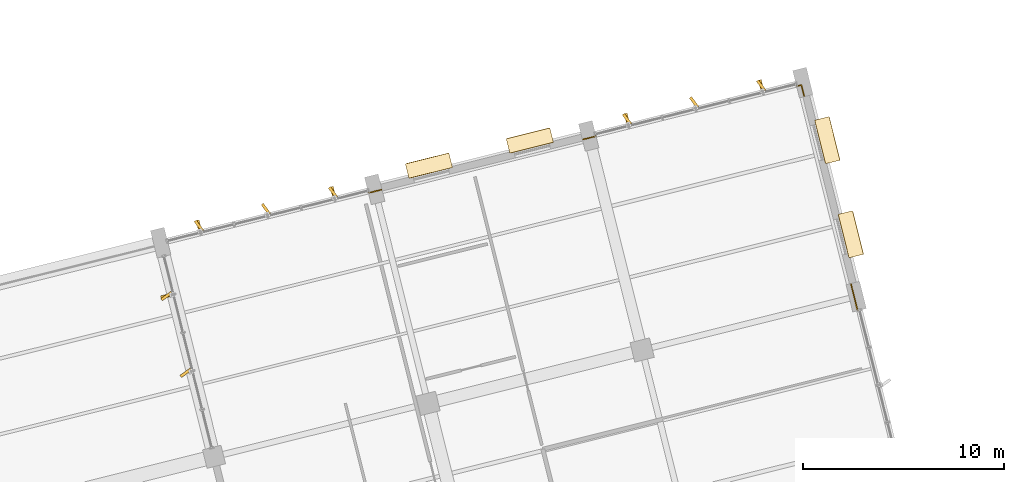
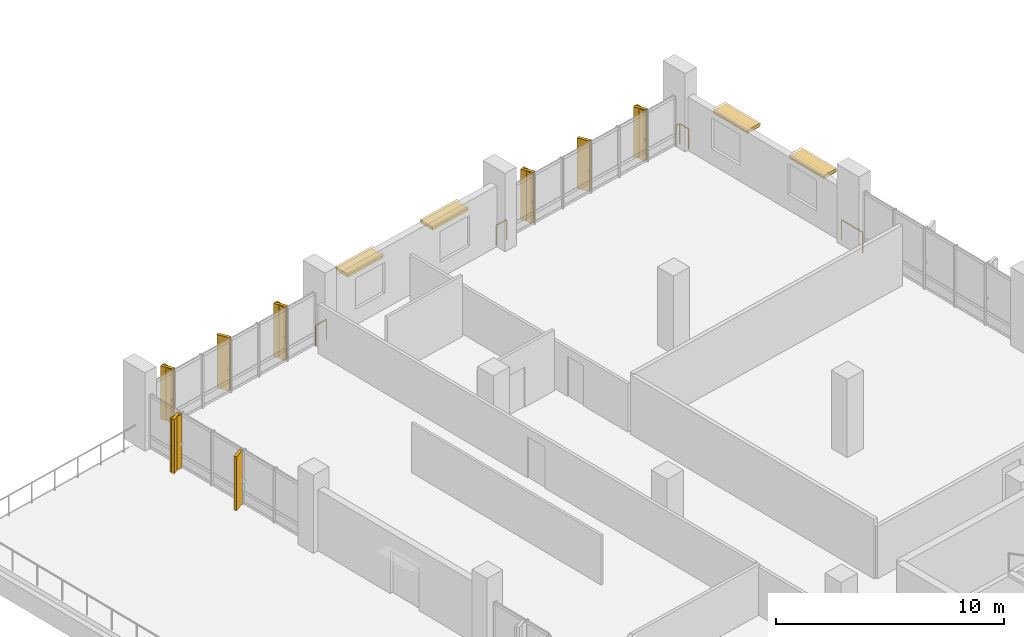
# One storey, part 75 of 75: 12 shading devices, 9 coverings, 4 railings.
"""IFC4 building model written with IfcOpenShell, lengths in metres."""

from ifc_helpers import new_model, si_unit, direction, frame, origin, origin_2d, place, context, subcontext, project, spatial, rectangle, extrude, material, layer, layer_set, type_object, element, save


model = new_model("IFC4")

# Units and contexts
model_context = context("Model", 3, precision=1e-05, world=origin(), true_north=direction((0.0, 1.0)))
body_context = subcontext(model_context, "Body", "Model", "MODEL_VIEW")
ifc_project = project(units=[si_unit("LENGTHUNIT", "METRE"), si_unit("AREAUNIT", "SQUARE_METRE"), si_unit("VOLUMEUNIT", "CUBIC_METRE"), si_unit("PLANEANGLEUNIT", "RADIAN"), si_unit("MASSUNIT", "GRAM", prefix="KILO")], contexts=[model_context])

# Site, building, storey
site_placement = place(None, origin())
site = spatial("IfcSite", under=ifc_project, at=site_placement, CompositionType="ELEMENT")
building_placement = place(site_placement, origin())
building = spatial("IfcBuilding", under=site, at=building_placement, Name="Khorjan Park Terminus", CompositionType="ELEMENT")
storey_placement = place(building_placement, frame((0.0, 0.0, 16.2)))
storey = spatial("IfcBuildingStorey", under=building, at=storey_placement, Name="L03", CompositionType="ELEMENT", Elevation=16.2)

# Coverings
ifc_material_1 = material(Name="Pigmented Precast GRC", Category="concrete")
ifc_layer_1 = layer(ifc_material_1, 0.16)
ifc_layer_set_1 = layer_set([ifc_layer_1], Name="Pigmented Precast GRC")
covering_type_1 = type_object("IfcCoveringType", Name="CV-FIN-GRC", PredefinedType="CLADDING", material=ifc_layer_set_1)
for number, where, z_axis, x_axis, name in (
    (1, (211.9946, 81.8541, -0.02), (0.0, 0.0, 1.0), (0.2419218956, -0.970295726276, 0.0), "Projecting desert-sandstone GRC facade fin CL-FN1 (CW-V5-N-L03-B01-1)"),
    (2, (205.3055, 80.1863, -0.02), (0.0, 0.0, 1.0), (0.2419218956, -0.970295726276, 0.0), "Projecting desert-sandstone GRC facade fin CL-FN1 (CW-V5-N-L03-B01-5)"),
):
    element("IfcCovering", number, at=place(storey_placement, frame(where, z_axis=z_axis, x_axis=x_axis)), inside=storey, type_object=covering_type_1, Name=name, PredefinedType="CLADDING", context=body_context, shape_type="SweptSolid", body=[
        extrude(rectangle(XDim=0.58, YDim=0.16, at=origin_2d()), origin(), (0.0, 0.0, 1.0), 2.705),
    ])
for number, where, z_axis, x_axis, name in (
    (3, (190.6478, 76.5318, -0.02), (0.0, 0.0, 1.0), (0.2419218956, -0.970295726276, 0.0), "Projecting desert-sandstone GRC facade fin CL-FN1 (CW-V5-N-L03-B03-1)"),
    (4, (183.9594, 74.8642, -0.02), (0.0, 0.0, 1.0), (0.2419218956, -0.970295726276, 0.0), "Projecting desert-sandstone GRC facade fin CL-FN1 (CW-V5-N-L03-B03-5)"),
):
    element("IfcCovering", number, at=place(storey_placement, frame(where, z_axis=z_axis, x_axis=x_axis)), inside=storey, type_object=covering_type_1, Name=name, PredefinedType="CLADDING", context=body_context, shape_type="SweptSolid", body=[
        extrude(rectangle(XDim=0.58, YDim=0.16, at=origin_2d()), origin(), (0.0, 0.0, 1.0), 2.855),
    ])
covering_placement = place(storey_placement, frame((182.3502, 71.363, -0.02), z_axis=(0.0, 0.0, 1.0), x_axis=(0.970295726276, 0.2419218956, 0.0)))
element("IfcCovering", 5, at=covering_placement, inside=storey, type_object=covering_type_1, Name="Projecting desert-sandstone GRC facade fin CL-FN1 (CW-V5-NW1-L03-B01-1)", PredefinedType="CLADDING", context=body_context, shape_type="SweptSolid", body=[
    extrude(rectangle(XDim=0.58, YDim=0.16, at=origin_2d()), origin(), (0.0, 0.0, 1.0), 2.905),
])
ifc_layer_2 = layer(ifc_material_1, 0.18)
ifc_layer_set_2 = layer_set([ifc_layer_2], Name="Pigmented Precast GRC")
covering_type_2 = type_object("IfcCoveringType", Name="CV-HOOD-GRC", PredefinedType="CLADDING", material=ifc_layer_set_2)
for number, where, z_axis, x_axis, name in (
    (6, (216.4636, 74.4423, 2.58), (0.0, 0.0, 1.0), (-0.241919949632, 0.970296211458, 0.0), "Projecting desert-sandstone GRC window eyebrow CL-HD1 (EW-V5-E-L03-B06-1)"),
    (7, (215.294, 79.1336, 2.58), (0.0, 0.0, 1.0), (-0.241919949632, 0.970296211458, 0.0), "Projecting desert-sandstone GRC window eyebrow CL-HD1 (EW-V5-E-L03-B06-2)"),
    (8, (200.4594, 79.1172, 2.58), (0.0, 0.0, 1.0), (-0.970297165188, -0.241916124366, 0.0), "Projecting desert-sandstone GRC window eyebrow CL-HD1 (EW-V5-N-L03-B02-1)"),
    (9, (195.4285, 77.8629, 2.58), (0.0, 0.0, 1.0), (-0.970297165188, -0.241916124366, 0.0), "Projecting desert-sandstone GRC window eyebrow CL-HD1 (EW-V5-N-L03-B02-2)"),
):
    element("IfcCovering", number, at=place(storey_placement, frame(where, z_axis=z_axis, x_axis=x_axis)), inside=storey, type_object=covering_type_2, Name=name, PredefinedType="CLADDING", context=body_context, shape_type="SweptSolid", body=[
        extrude(rectangle(XDim=2.24, YDim=0.74, at=origin_2d()), origin(), (0.0, 0.0, 1.0), 0.16),
    ])

# Railings
ifc_material_2 = material(Name="Steel S355", Category="steel")
railing_type = type_object("IfcRailingType", Name="GR-112", PredefinedType="GUARDRAIL", material=ifc_material_2)
railing_1_placement = place(storey_placement, frame((192.43, 76.5072, 0.0)))
element("IfcRailing", 10, at=railing_1_placement, inside=storey, type_object=railing_type, Name="Perimeter safety guard GR-112 (L03-81)", PredefinedType="GUARDRAIL", context=body_context, shape_type="SweptSolid", body=[
    extrude(rectangle(XDim=0.048, YDim=0.048, at=origin_2d()), frame((0.0, 0.0, 1.096), z_axis=(0.970306449081, 0.241878884718, 0.0), x_axis=(-0.241878884718, 0.970306449081, 0.0)), (0.0, 0.0, 1.0), 0.645),
    extrude(rectangle(XDim=0.042, YDim=0.042, at=origin_2d()), origin(), (0.0, 0.0, 1.0), 1.072),
    extrude(rectangle(XDim=0.042, YDim=0.042, at=origin_2d()), frame((0.6258, 0.156, 0.0)), (0.0, 0.0, 1.0), 1.072),
])
railing_2_placement = place(storey_placement, frame((203.1175, 79.1719, 0.0)))
element("IfcRailing", 11, at=railing_2_placement, inside=storey, type_object=railing_type, Name="Perimeter safety guard GR-112 (L03-83)", PredefinedType="GUARDRAIL", context=body_context, shape_type="SweptSolid", body=[
    extrude(rectangle(XDim=0.048, YDim=0.048, at=origin_2d()), frame((0.0, 0.0, 1.096), z_axis=(0.970315518329, 0.241842500175, 0.0), x_axis=(-0.241842500175, 0.970315518329, 0.0)), (0.0, 0.0, 1.0), 0.645),
    extrude(rectangle(XDim=0.042, YDim=0.042, at=origin_2d()), origin(), (0.0, 0.0, 1.0), 1.072),
    extrude(rectangle(XDim=0.042, YDim=0.042, at=origin_2d()), frame((0.6259, 0.156, 0.0)), (0.0, 0.0, 1.0), 1.072),
])
railing_3_placement = place(storey_placement, frame((213.7769, 81.8296, 0.0)))
element("IfcRailing", 12, at=railing_3_placement, inside=storey, type_object=railing_type, Name="Perimeter safety guard GR-112 (L03-85)", PredefinedType="GUARDRAIL", context=body_context, shape_type="SweptSolid", body=[
    extrude(rectangle(XDim=0.048, YDim=0.048, at=origin_2d()), frame((0.0, 0.0, 1.096), z_axis=(0.970295873999, 0.241921303114, 0.0), x_axis=(-0.241921303114, 0.970295873999, 0.0)), (0.0, 0.0, 1.0), 0.2298),
    extrude(rectangle(XDim=0.048, YDim=0.048, at=origin_2d()), frame((0.223, 0.0556, 1.096), z_axis=(0.241911448302, -0.97029833102, 0.0), x_axis=(0.97029833102, 0.241911448302, 0.0)), (0.0, 0.0, 1.0), 0.5655),
    extrude(rectangle(XDim=0.042, YDim=0.042, at=origin_2d()), origin(), (0.0, 0.0, 1.0), 1.072),
    extrude(rectangle(XDim=0.042, YDim=0.042, at=origin_2d()), frame((0.223, 0.0556, 0.0)), (0.0, 0.0, 1.0), 1.072),
    extrude(rectangle(XDim=0.042, YDim=0.042, at=origin_2d()), frame((0.3598, -0.4931, 0.0)), (0.0, 0.0, 1.0), 1.072),
])
railing_4_placement = place(storey_placement, frame((216.476, 71.954, 0.0)))
element("IfcRailing", 13, at=railing_4_placement, inside=storey, type_object=railing_type, Name="Perimeter safety guard GR-112 (L03-86)", PredefinedType="GUARDRAIL", context=body_context, shape_type="SweptSolid", body=[
    extrude(rectangle(XDim=0.048, YDim=0.048, at=origin_2d()), frame((0.0, 0.0, 1.096), z_axis=(0.241870763547, -0.970308473498, 0.0), x_axis=(0.970308473498, 0.241870763547, 0.0)), (0.0, 0.0, 1.0), 1.3449),
    extrude(rectangle(XDim=0.042, YDim=0.042, at=origin_2d()), origin(), (0.0, 0.0, 1.0), 1.072),
    extrude(rectangle(XDim=0.042, YDim=0.042, at=origin_2d()), frame((0.3253, -1.305, 0.0)), (0.0, 0.0, 1.0), 1.072),
])

# Shading devices
ifc_material_3 = material(Name="Anodized Bronze Aluminium", Category="aluminium")
shading_device_type_1 = type_object("IfcShadingDeviceType", Name="SD-FIN-620", PredefinedType="JALOUSIE", material=ifc_material_3)
for number, where, z_axis, x_axis, name in (
    (14, (211.9946, 81.8541, -0.02), (0.0, 0.0, 1.0), (0.587785252292, -0.809016994375, 0.0), "Angled solar brise-soleil fin SF-62 (CW-V5-N-L03-B01-1)"),
    (15, (208.6501, 81.0202, -0.02), (0.0, 0.0, 1.0), (0.587785252292, -0.809016994375, 0.0), "Angled solar brise-soleil fin SF-62 (CW-V5-N-L03-B01-3)"),
    (16, (205.3055, 80.1863, -0.02), (0.0, 0.0, 1.0), (0.587785252292, -0.809016994375, 0.0), "Angled solar brise-soleil fin SF-62 (CW-V5-N-L03-B01-5)"),
):
    element("IfcShadingDevice", number, at=place(storey_placement, frame(where, z_axis=z_axis, x_axis=x_axis)), inside=storey, type_object=shading_device_type_1, Name=name, PredefinedType="JALOUSIE", context=body_context, shape_type="SweptSolid", body=[
        extrude(rectangle(XDim=0.62, YDim=0.14, at=origin_2d()), origin(), (0.0, 0.0, 1.0), 2.705),
    ])
for number, where, z_axis, x_axis, name in (
    (17, (190.6478, 76.5318, -0.02), (0.0, 0.0, 1.0), (0.587785252292, -0.809016994375, 0.0), "Angled solar brise-soleil fin SF-62 (CW-V5-N-L03-B03-1)"),
    (18, (187.3036, 75.698, -0.02), (0.0, 0.0, 1.0), (0.587785252292, -0.809016994375, 0.0), "Angled solar brise-soleil fin SF-62 (CW-V5-N-L03-B03-3)"),
    (19, (183.9594, 74.8642, -0.02), (0.0, 0.0, 1.0), (0.587785252292, -0.809016994375, 0.0), "Angled solar brise-soleil fin SF-62 (CW-V5-N-L03-B03-5)"),
):
    element("IfcShadingDevice", number, at=place(storey_placement, frame(where, z_axis=z_axis, x_axis=x_axis)), inside=storey, type_object=shading_device_type_1, Name=name, PredefinedType="JALOUSIE", context=body_context, shape_type="SweptSolid", body=[
        extrude(rectangle(XDim=0.62, YDim=0.14, at=origin_2d()), origin(), (0.0, 0.0, 1.0), 2.855),
    ])
for number, where, z_axis, x_axis, name in (
    (20, (182.3502, 71.363, -0.02), (0.0, 0.0, 1.0), (0.809016994375, 0.587785252292, 0.0), "Angled solar brise-soleil fin SF-62 (CW-V5-NW1-L03-B01-1)"),
    (21, (183.3048, 67.5343, -0.02), (0.0, 0.0, 1.0), (0.809016994375, 0.587785252292, 0.0), "Angled solar brise-soleil fin SF-62 (CW-V5-NW1-L03-B01-3)"),
):
    element("IfcShadingDevice", number, at=place(storey_placement, frame(where, z_axis=z_axis, x_axis=x_axis)), inside=storey, type_object=shading_device_type_1, Name=name, PredefinedType="JALOUSIE", context=body_context, shape_type="SweptSolid", body=[
        extrude(rectangle(XDim=0.62, YDim=0.14, at=origin_2d()), origin(), (0.0, 0.0, 1.0), 2.905),
    ])
shading_device_type_2 = type_object("IfcShadingDeviceType", Name="SD-SUN-750", PredefinedType="SHUTTER", material=ifc_material_3)
for number, where, z_axis, x_axis, name in (
    (22, (216.4636, 74.4423, 2.51), (0.0, 0.0, 1.0), (-0.241919949632, 0.970296211458, 0.0), "Projecting solar overhang hood SH-75 (EW-V5-E-L03-B06-1)"),
    (23, (215.294, 79.1336, 2.51), (0.0, 0.0, 1.0), (-0.241919949632, 0.970296211458, 0.0), "Projecting solar overhang hood SH-75 (EW-V5-E-L03-B06-2)"),
    (24, (200.4594, 79.1172, 2.51), (0.0, 0.0, 1.0), (-0.970297165188, -0.241916124366, 0.0), "Projecting solar overhang hood SH-75 (EW-V5-N-L03-B02-1)"),
    (25, (195.4285, 77.8629, 2.51), (0.0, 0.0, 1.0), (-0.970297165188, -0.241916124366, 0.0), "Projecting solar overhang hood SH-75 (EW-V5-N-L03-B02-2)"),
):
    element("IfcShadingDevice", number, at=place(storey_placement, frame(where, z_axis=z_axis, x_axis=x_axis)), inside=storey, type_object=shading_device_type_2, Name=name, PredefinedType="SHUTTER", context=body_context, shape_type="SweptSolid", body=[
        extrude(rectangle(XDim=2.16, YDim=0.76, at=origin_2d()), origin(), (0.0, 0.0, 1.0), 0.14),
    ])

save(model, "model.ifc")
